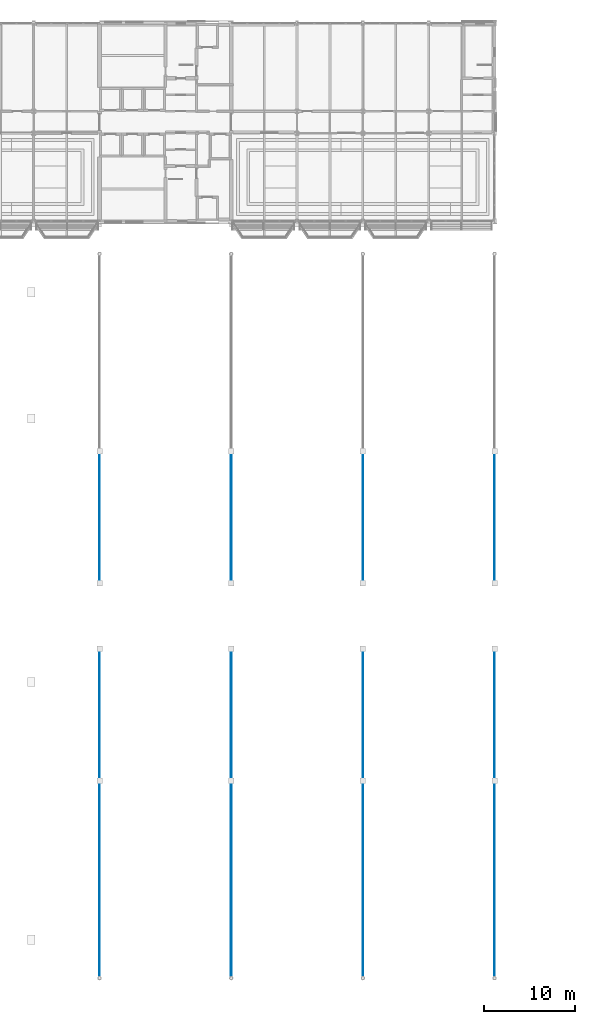
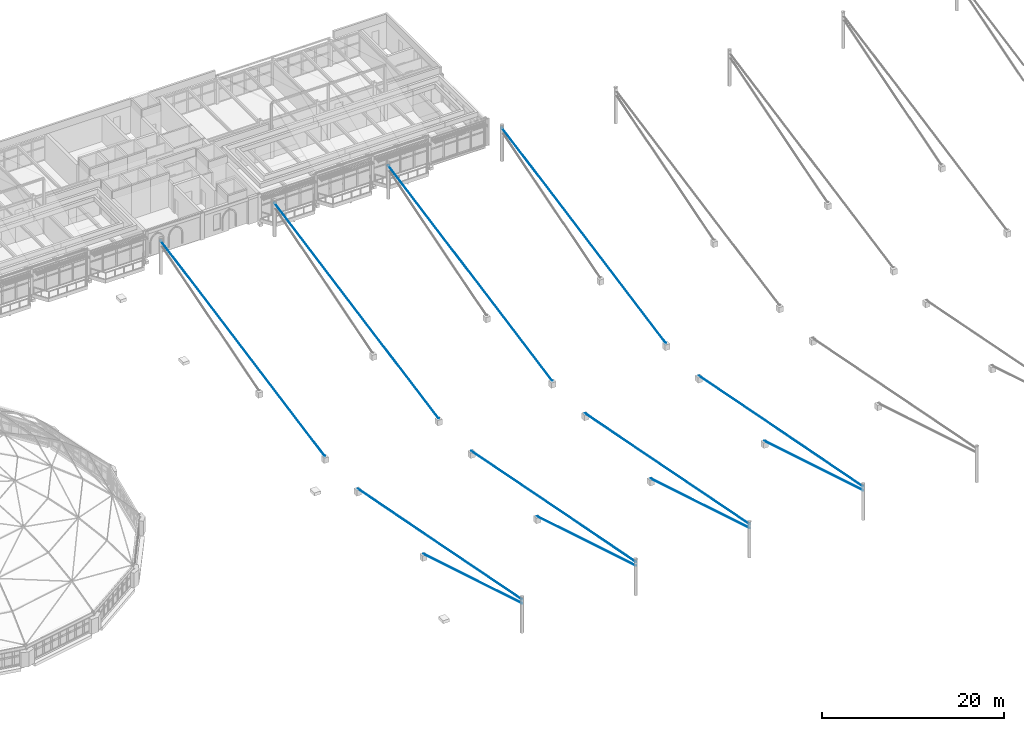
# One storey, part 24 of 68: 12 members.
"""IFC4 building model written with IfcOpenShell, lengths in metres."""

from ifc_helpers import new_model, si_unit, direction, frame, origin, origin_2d, place, context, subcontext, project, spatial, circle, extrude, material, material_profile, profile_set, type_object, element, save


model = new_model("IFC4")

# Units and contexts
model_context = context("Model", 3, precision=1e-05, world=origin(), true_north=direction((0.0, 1.0)))
body_context = subcontext(model_context, "Body", "Model", "MODEL_VIEW")
ifc_project = project(units=[si_unit("LENGTHUNIT", "METRE"), si_unit("AREAUNIT", "SQUARE_METRE"), si_unit("VOLUMEUNIT", "CUBIC_METRE"), si_unit("PLANEANGLEUNIT", "RADIAN"), si_unit("MASSUNIT", "GRAM", prefix="KILO")], contexts=[model_context])

# Site, building, storey
site_placement = place(None, origin())
site = spatial("IfcSite", under=ifc_project, at=site_placement, CompositionType="ELEMENT")
building_placement = place(site_placement, origin())
building = spatial("IfcBuilding", under=site, at=building_placement, Name="Kupolbacken Congress Centre", CompositionType="ELEMENT")
storey_placement = place(building_placement, frame((0.0, 0.0, 25.199951171875)))
storey = spatial("IfcBuildingStorey", under=building, at=storey_placement, Name="L07", CompositionType="ELEMENT", Elevation=25.199951171875)

# Members
ifc_material = material(Name="Steel S355", Category="steel")
ifc_material_profile = material_profile(ifc_material, circle(Radius=0.0400390625, at=origin_2d()), Name="RB 80")
ifc_profile_set = profile_set([ifc_material_profile], Name="Steel S355")
member_type = type_object("IfcMemberType", Name="M23 roof stay round bar 80", PredefinedType="BRACE", material=ifc_profile_set)
member_1_placement = place(storey_placement, frame((93.60009765625, 39.60009765625, 3.900146484375), z_axis=(0.0, 0.957458846603, -0.288569847803), x_axis=(-1.0, 0.0, 0.0)))
element("IfcMember", 1, at=member_1_placement, inside=storey, type_object=member_type, Name="Roof stay M1S.1", PredefinedType="BRACE", context=body_context, shape_type="SweptSolid", body=[
    extrude(circle(Radius=0.0400390625, at=origin_2d()), origin(), (0.0, 0.0, 1.0), 22.5595703125),
])
member_2_placement = place(storey_placement, frame((93.60009765625, 39.60009765625, 4.400146484375), z_axis=(0.0, 0.981564219427, -0.191132632327), x_axis=(-1.0, 0.0, 0.0)))
element("IfcMember", 2, at=member_2_placement, inside=storey, type_object=member_type, Name="Roof stay M1S.2", PredefinedType="BRACE", context=body_context, shape_type="SweptSolid", body=[
    extrude(circle(Radius=0.0400390625, at=origin_2d()), origin(), (0.0, 0.0, 1.0), 36.67626953125),
])
member_3_placement = place(storey_placement, frame((108.0, 39.60009765625, 3.900146484375), z_axis=(0.0, 0.957458846603, -0.288569847803), x_axis=(-1.0, 0.0, 0.0)))
element("IfcMember", 3, at=member_3_placement, inside=storey, type_object=member_type, Name="Roof stay M2S.1", PredefinedType="BRACE", context=body_context, shape_type="SweptSolid", body=[
    extrude(circle(Radius=0.0400390625, at=origin_2d()), origin(), (0.0, 0.0, 1.0), 22.5595703125),
])
member_4_placement = place(storey_placement, frame((108.0, 39.60009765625, 4.400146484375), z_axis=(0.0, 0.981564219427, -0.191132632327), x_axis=(-1.0, 0.0, 0.0)))
element("IfcMember", 4, at=member_4_placement, inside=storey, type_object=member_type, Name="Roof stay M2S.2", PredefinedType="BRACE", context=body_context, shape_type="SweptSolid", body=[
    extrude(circle(Radius=0.0400390625, at=origin_2d()), origin(), (0.0, 0.0, 1.0), 36.67626953125),
])
member_5_placement = place(storey_placement, frame((122.39990234375, 39.60009765625, 3.900146484375), z_axis=(0.0, 0.957458846603, -0.288569847803), x_axis=(-1.0, 0.0, 0.0)))
element("IfcMember", 5, at=member_5_placement, inside=storey, type_object=member_type, Name="Roof stay M3S.1", PredefinedType="BRACE", context=body_context, shape_type="SweptSolid", body=[
    extrude(circle(Radius=0.0400390625, at=origin_2d()), origin(), (0.0, 0.0, 1.0), 22.5595703125),
])
member_6_placement = place(storey_placement, frame((122.39990234375, 39.60009765625, 4.400146484375), z_axis=(0.0, 0.981564219427, -0.191132632327), x_axis=(-1.0, 0.0, 0.0)))
element("IfcMember", 6, at=member_6_placement, inside=storey, type_object=member_type, Name="Roof stay M3S.2", PredefinedType="BRACE", context=body_context, shape_type="SweptSolid", body=[
    extrude(circle(Radius=0.0400390625, at=origin_2d()), origin(), (0.0, 0.0, 1.0), 36.67626953125),
])
member_7_placement = place(storey_placement, frame((136.800048828125, 39.60009765625, 3.900146484375), z_axis=(0.0, 0.957458846603, -0.288569847803), x_axis=(-1.0, 0.0, 0.0)))
element("IfcMember", 7, at=member_7_placement, inside=storey, type_object=member_type, Name="Roof stay M4S.1", PredefinedType="BRACE", context=body_context, shape_type="SweptSolid", body=[
    extrude(circle(Radius=0.0400390625, at=origin_2d()), origin(), (0.0, 0.0, 1.0), 22.5595703125),
])
for number, where, z_axis, x_axis, name in (
    (8, (136.800048828125, 39.60009765625, 4.400146484375), (0.0, 0.981564219427, -0.191132632327), (-1.0, 0.0, 0.0), "Roof stay M4S.2"),
    (9, (93.60009765625, 118.800048828125, 4.400146484375), (0.0, -0.981564219427, -0.191132632327), (1.0, 0.0, 0.0), "Roof stay M1N.2"),
    (10, (108.0, 118.800048828125, 4.400146484375), (0.0, -0.981564219427, -0.191132632327), (1.0, 0.0, 0.0), "Roof stay M2N.2"),
    (11, (122.39990234375, 118.800048828125, 4.400146484375), (0.0, -0.981564219427, -0.191132632327), (1.0, 0.0, 0.0), "Roof stay M3N.2"),
    (12, (136.800048828125, 118.800048828125, 4.400146484375), (0.0, -0.981564219427, -0.191132632327), (1.0, 0.0, 0.0), "Roof stay M4N.2"),
):
    element("IfcMember", number, at=place(storey_placement, frame(where, z_axis=z_axis, x_axis=x_axis)), inside=storey, type_object=member_type, Name=name, PredefinedType="BRACE", context=body_context, shape_type="SweptSolid", body=[
        extrude(circle(Radius=0.0400390625, at=origin_2d()), origin(), (0.0, 0.0, 1.0), 36.67626953125),
    ])

save(model, "model.ifc")
